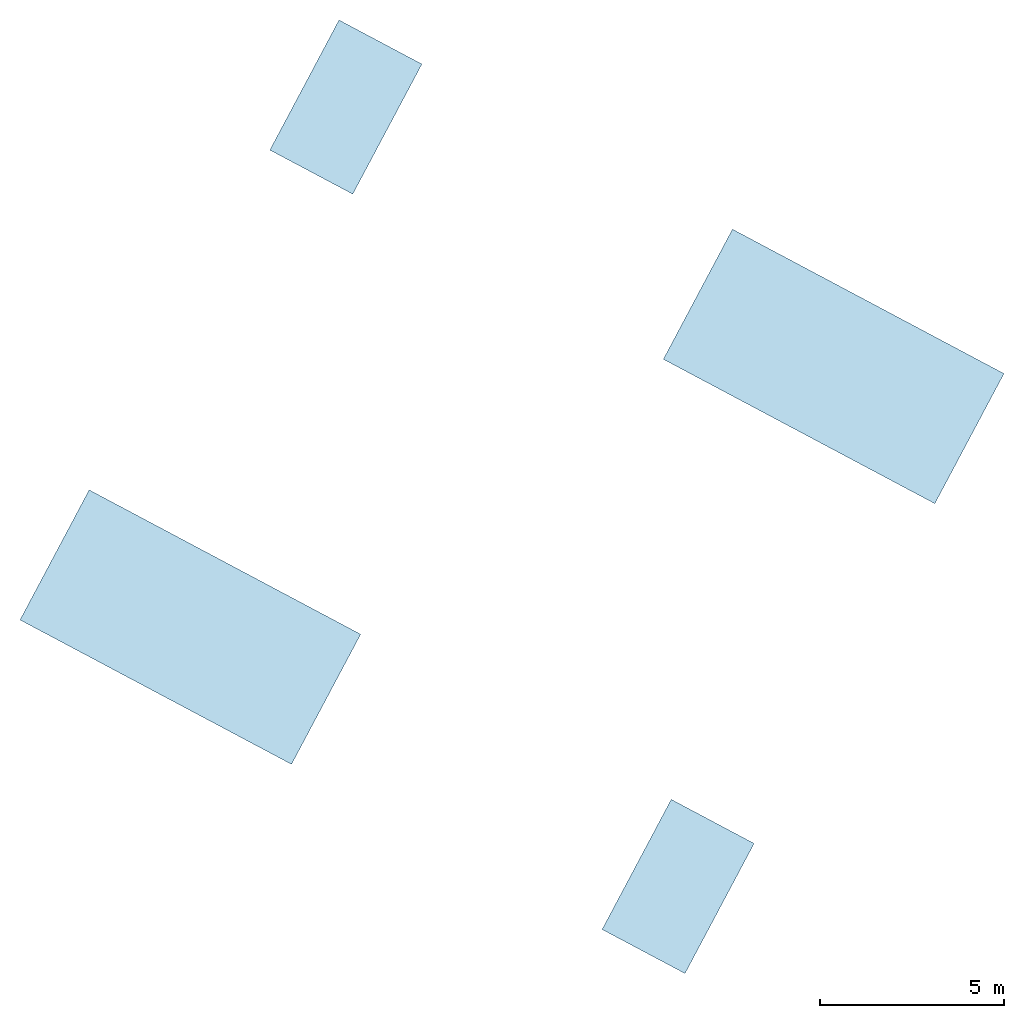
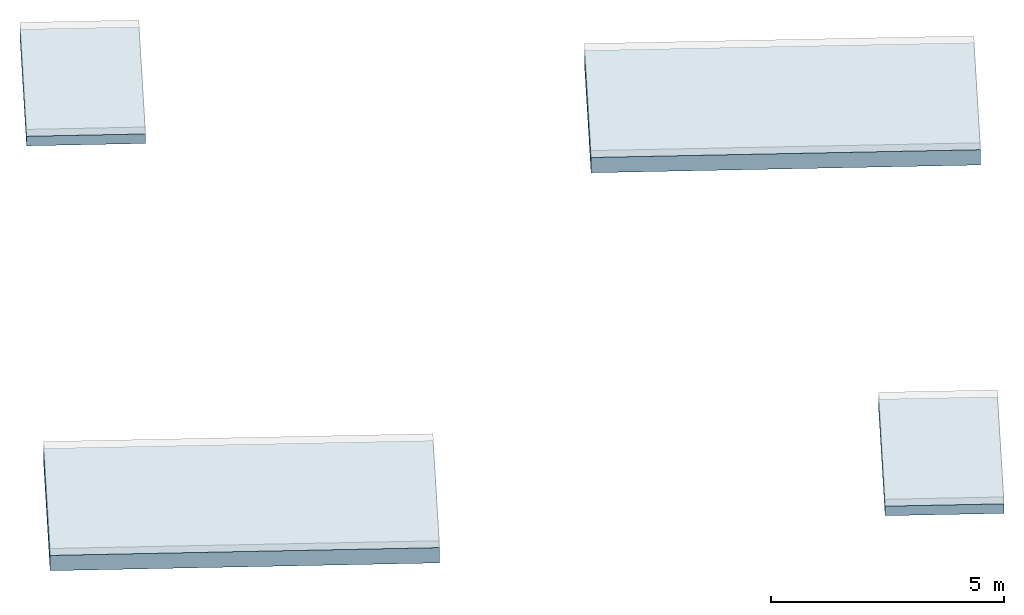
# One storey, part 1 of 2: 4 slabs.
"""IFC4 building model written with IfcOpenShell, lengths in metres."""

from ifc_helpers import new_model, si_unit, direction, frame, origin, place, context, subcontext, project, spatial, polyline, outline, extrude, material, layer, layer_set, type_object, element, save


model = new_model("IFC4")

# Units and contexts
model_context = context("Model", 3, precision=1e-05, world=origin(), true_north=direction((0.0, 1.0)))
body_context = subcontext(model_context, "Body", "Model", "MODEL_VIEW")
ifc_project = project(units=[si_unit("LENGTHUNIT", "METRE"), si_unit("AREAUNIT", "SQUARE_METRE"), si_unit("VOLUMEUNIT", "CUBIC_METRE"), si_unit("PLANEANGLEUNIT", "RADIAN"), si_unit("MASSUNIT", "GRAM", prefix="KILO")], contexts=[model_context])

# Site, building, storey
site_placement = place(None, origin())
site = spatial("IfcSite", under=ifc_project, at=site_placement, CompositionType="ELEMENT")
building_placement = place(site_placement, origin())
building = spatial("IfcBuilding", under=site, at=building_placement, Name="Cormorant Relay Tower", CompositionType="ELEMENT")
storey_placement = place(building_placement, frame((0.0, 0.0, 360.800048828125)))
storey = spatial("IfcBuildingStorey", under=building, at=storey_placement, Name="ROOF", CompositionType="ELEMENT", Elevation=360.800048828125)

# Slabs
ifc_material_1 = material(Name="Concrete 40 MPa", Category="concrete")
ifc_layer_1 = layer(ifc_material_1, 0.400146484375)
ifc_layer_set_1 = layer_set([ifc_layer_1], Name="Crown terrace roof slab 400")
slab_type_1 = type_object("IfcSlabType", Name="Crown terrace roof slab 400", PredefinedType="ROOF", material=ifc_layer_set_1)
slab_1_placement = place(storey_placement, frame((0.0, 0.0, -0.000244140625)))
element("IfcSlab", 1, at=slab_1_placement, inside=storey, type_object=slab_type_1, Name="Stair head-house roof", PredefinedType="ROOF", context=body_context, shape_type="SweptSolid", body=[
    extrude(outline(polyline([(-15.89013671875, 14.36669921875), (-14.01220703125, 17.8984375), (-21.385009765625, 21.818603515625), (-23.262939453125, 18.28662109375), (-15.89013671875, 14.36669921875)])), origin(), (0.0, 0.0, 1.0), 0.400146484375),
])
slab_2_placement = place(storey_placement, frame((0.0, 0.0, -0.000244140625)))
element("IfcSlab", 2, at=slab_2_placement, inside=storey, type_object=slab_type_1, Name="Stair head-house roof", PredefinedType="ROOF", context=body_context, shape_type="SweptSolid", body=[
    extrude(outline(polyline([(-33.35791015625, 7.28857421875), (-31.479736328125, 10.820556640625), (-38.8525390625, 14.740478515625), (-40.73046875, 11.208740234375), (-33.35791015625, 7.28857421875)])), origin(), (0.0, 0.0, 1.0), 0.400146484375),
])
ifc_material_2 = material(Name="Concrete 50 MPa", Category="concrete")
ifc_layer_2 = layer(ifc_material_2, 0.25)
ifc_layer_set_2 = layer_set([ifc_layer_2], Name="Lift overrun roof 250")
slab_type_2 = type_object("IfcSlabType", Name="Lift overrun roof 250", PredefinedType="ROOF", material=ifc_layer_set_2)
slab_3_placement = place(storey_placement, frame((0.0, 0.0, 1.0)))
element("IfcSlab", 3, at=slab_3_placement, inside=storey, type_object=slab_type_2, Name="Core A FF lift overrun roof", PredefinedType="ROOF", context=body_context, shape_type="SweptSolid", body=[
    extrude(outline(polyline([(-23.047607421875, 6.3369140625), (-20.796142578125, 5.139892578125), (-22.674072265625, 1.608154296875), (-24.925537109375, 2.80517578125), (-23.047607421875, 6.3369140625)])), origin(), (0.0, 0.0, 1.0), 0.25),
])
slab_4_placement = place(storey_placement, frame((0.0, 0.0, 1.0)))
element("IfcSlab", 4, at=slab_4_placement, inside=storey, type_object=slab_type_2, Name="Core A SV lift overrun roof", PredefinedType="ROOF", context=body_context, shape_type="SweptSolid", body=[
    extrude(outline(polyline([(-32.068603515625, 27.499267578125), (-29.817138671875, 26.302001953125), (-31.695068359375, 22.770263671875), (-33.946533203125, 23.96728515625), (-32.068603515625, 27.499267578125)])), origin(), (0.0, 0.0, 1.0), 0.25),
])

save(model, "model.ifc")
